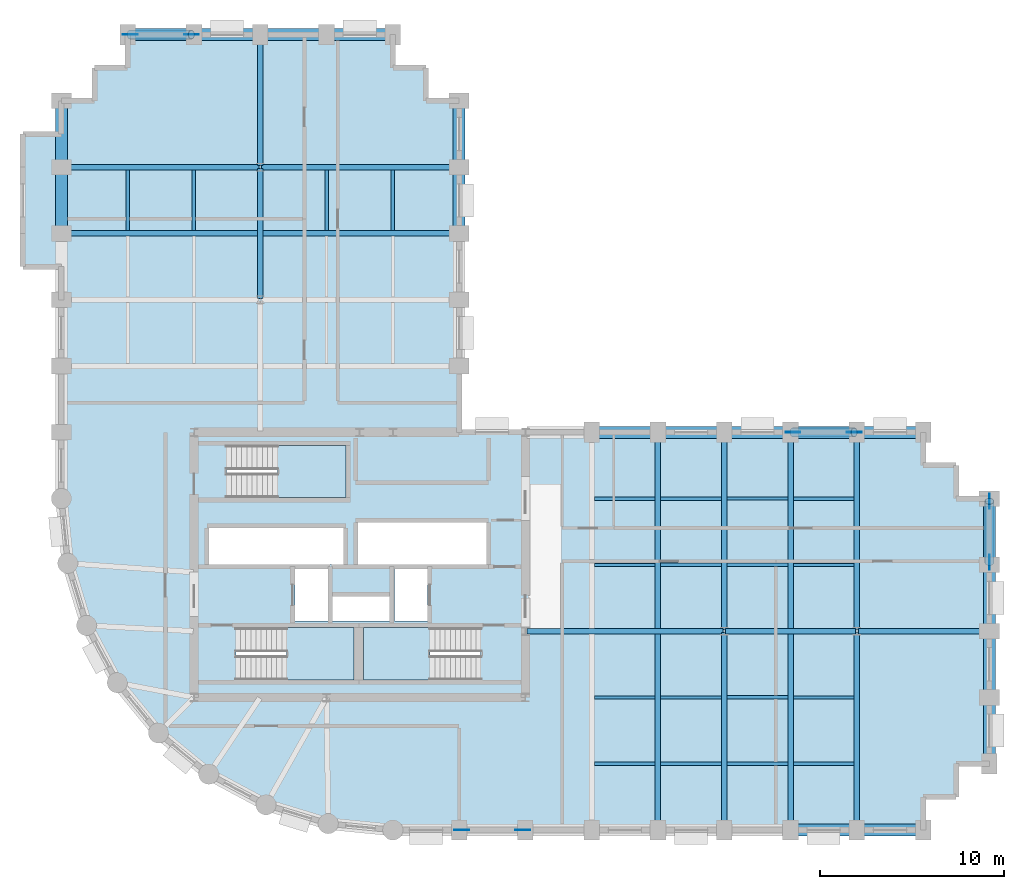
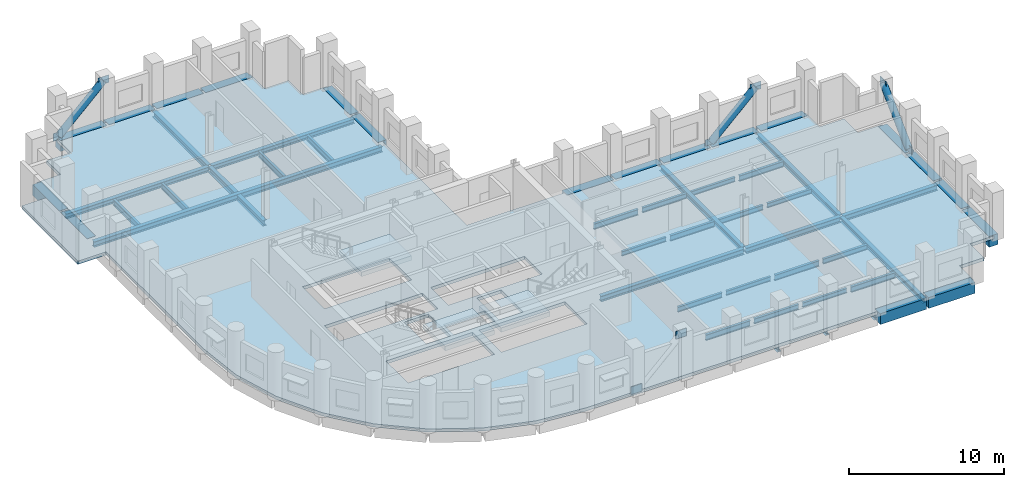
# One storey, part 2 of 8: 53 beams, 8 plates, 4 slabs, 3 members, 3 elements without a shape of their own.
"""IFC4 building model written with IfcOpenShell, lengths in metres."""

from ifc_helpers import new_model, si_unit, direction, frame, origin, origin_2d, place, context, subcontext, project, spatial, polyline, rectangle, hollow_circle, i_section, outline, extrude, material, layer, layer_set, material_profile, profile_set, type_object, element, aggregate, save


model = new_model("IFC4")

# Units and contexts
model_context = context("Model", 3, precision=1e-05, world=origin(), true_north=direction((0.0, 1.0)))
body_context = subcontext(model_context, "Body", "Model", "MODEL_VIEW")
ifc_project = project(units=[si_unit("LENGTHUNIT", "METRE"), si_unit("AREAUNIT", "SQUARE_METRE"), si_unit("VOLUMEUNIT", "CUBIC_METRE"), si_unit("PLANEANGLEUNIT", "RADIAN"), si_unit("MASSUNIT", "GRAM", prefix="KILO")], contexts=[model_context])

# Site, building, storey
site_placement = place(None, origin())
site = spatial("IfcSite", under=ifc_project, at=site_placement, CompositionType="ELEMENT")
building_placement = place(site_placement, origin())
building = spatial("IfcBuilding", under=site, at=building_placement, Name="Solnavia Interchange Tower", CompositionType="ELEMENT")
storey_placement = place(building_placement, frame((0.0, 0.0, 120.0)))
storey = spatial("IfcBuildingStorey", under=building, at=storey_placement, Name="L29", CompositionType="ELEMENT", Elevation=120.0)

# Beams
ifc_material_1 = material(Name="Steel S460", Category="steel")
ifc_material_profile_1 = material_profile(ifc_material_1, i_section(OverallWidth=0.300048828125, OverallDepth=0.449951171875, WebThickness=0.013916015625, FlangeThickness=0.02587890625, FilletRadius=0.027099609375, at=origin_2d()), Name="HEB 450")
ifc_profile_set_1 = profile_set([ifc_material_profile_1], Name="Steel S460")
beam_type_1 = type_object("IfcBeamType", Name="Beam-Girder-HEB450", PredefinedType="BEAM", material=ifc_profile_set_1)
beam_1_placement = place(storey_placement, frame((32.47998046875, 14.39990234375, -0.47509765625), z_axis=(1.0, 0.0, 0.0), x_axis=(0.0, 1.0, 0.0)))
element("IfcBeam", 1, at=beam_1_placement, inside=storey, type_object=beam_type_1, Name="GRD-L29-ES01 East wing spine girder", PredefinedType="BEAM", context=body_context, shape_type="SweptSolid", body=[
    extrude(i_section(OverallWidth=0.300048828125, OverallDepth=0.449951171875, WebThickness=0.013916015625, FlangeThickness=0.02587890625, FilletRadius=0.027099609375, at=origin_2d()), origin(), (0.0, 0.0, 1.0), 10.64013671875),
])
for number, where, z_axis, x_axis, name in (
    (2, (43.280029296875, 14.39990234375, -0.47509765625), (1.0, 0.0, 0.0), (0.0, 1.0, 0.0), "GRD-L29-ES02 East wing spine girder"),
    (3, (50.47998046875, 14.39990234375, -0.47509765625), (1.0, 0.0, 0.0), (0.0, 1.0, 0.0), "GRD-L29-ES03 East wing spine girder"),
    (4, (18.0, 32.47998046875, -0.47509765625), (0.0, 1.0, 0.0), (-1.0, 0.0, 0.0), "GRD-L29-NS12 North wing spine girder"),
    (5, (18.0, 39.679931640625, -0.47509765625), (0.0, 1.0, 0.0), (-1.0, 0.0, 0.0), "GRD-L29-NS13 North wing spine girder"),
):
    element("IfcBeam", number, at=place(storey_placement, frame(where, z_axis=z_axis, x_axis=x_axis)), inside=storey, type_object=beam_type_1, Name=name, PredefinedType="BEAM", context=body_context, shape_type="SweptSolid", body=[
        extrude(i_section(OverallWidth=0.300048828125, OverallDepth=0.449951171875, WebThickness=0.013916015625, FlangeThickness=0.02587890625, FilletRadius=0.027099609375, at=origin_2d()), origin(), (0.0, 0.0, 1.0), 7.0400390625),
    ])
ifc_material_2 = material(Name="Steel S355", Category="steel")
ifc_material_profile_2 = material_profile(ifc_material_2, i_section(OverallWidth=0.169921875, OverallDepth=0.360107421875, WebThickness=0.008056640625, FlangeThickness=0.0126953125, FilletRadius=0.01806640625, at=origin_2d()), Name="IPE 360")
ifc_profile_set_2 = profile_set([ifc_material_profile_2], Name="Steel S355")
beam_type_2 = type_object("IfcBeamType", Name="Beam-Joist-IPE360", PredefinedType="JOIST", material=ifc_profile_set_2)
beam_2_placement = place(storey_placement, frame((43.35009765625, 7.199951171875, -0.429931640625), z_axis=(1.0, 0.0, 0.0), x_axis=(0.0, 1.0, 0.0)))
element("IfcBeam", 6, at=beam_2_placement, inside=storey, type_object=beam_type_2, Name="JST-L29-E03 East wing secondary joist", PredefinedType="JOIST", context=body_context, shape_type="SweptSolid", body=[
    extrude(i_section(OverallWidth=0.169921875, OverallDepth=0.360107421875, WebThickness=0.008056640625, FlangeThickness=0.0126953125, FilletRadius=0.01806640625, at=origin_2d()), origin(), (0.0, 0.0, 1.0), 3.2998046875),
])
for number, where, z_axis, x_axis, name in (
    (7, (39.75, 10.800048828125, -0.429931640625), (1.0, 0.0, 0.0), (0.0, 1.0, 0.0), "JST-L29-E06 East wing secondary joist"),
    (8, (36.14990234375, 18.0, -0.429931640625), (1.0, 0.0, 0.0), (0.0, 1.0, 0.0), "JST-L29-E09 East wing secondary joist"),
    (9, (46.949951171875, 18.0, -0.429931640625), (1.0, 0.0, 0.0), (0.0, 1.0, 0.0), "JST-L29-E12 East wing secondary joist"),
):
    element("IfcBeam", number, at=place(storey_placement, frame(where, z_axis=z_axis, x_axis=x_axis)), inside=storey, type_object=beam_type_2, Name=name, PredefinedType="JOIST", context=body_context, shape_type="SweptSolid", body=[
        extrude(i_section(OverallWidth=0.169921875, OverallDepth=0.360107421875, WebThickness=0.008056640625, FlangeThickness=0.0126953125, FilletRadius=0.01806640625, at=origin_2d()), origin(), (0.0, 0.0, 1.0), 3.300048828125),
    ])
beam_3_placement = place(storey_placement, frame((43.35009765625, 21.60009765625, -0.429931640625), z_axis=(1.0, 0.0, 0.0), x_axis=(0.0, 1.0, 0.0)))
element("IfcBeam", 10, at=beam_3_placement, inside=storey, type_object=beam_type_2, Name="JST-L29-E15 East wing secondary joist", PredefinedType="JOIST", context=body_context, shape_type="SweptSolid", body=[
    extrude(i_section(OverallWidth=0.169921875, OverallDepth=0.360107421875, WebThickness=0.008056640625, FlangeThickness=0.0126953125, FilletRadius=0.01806640625, at=origin_2d()), origin(), (0.0, 0.0, 1.0), 3.2998046875),
])
ifc_material_profile_3 = material_profile(ifc_material_2, i_section(OverallWidth=0.179931640625, OverallDepth=0.39990234375, WebThickness=0.008544921875, FlangeThickness=0.013427734375, FilletRadius=0.02099609375, at=origin_2d()), Name="IPE 400")
ifc_profile_set_3 = profile_set([ifc_material_profile_3], Name="Steel S355")
beam_type_3 = type_object("IfcBeamType", Name="Beam-Joist-IPE400", PredefinedType="JOIST", material=ifc_profile_set_3)
for number, where, z_axis, x_axis, name in (
    (11, (39.75, 7.199951171875, -0.449951171875), (1.0, 0.0, 0.0), (0.0, 1.0, 0.0), "JST-L29-E02 East wing secondary joist"),
    (12, (36.14990234375, 10.800048828125, -0.449951171875), (1.0, 0.0, 0.0), (0.0, 1.0, 0.0), "JST-L29-E05 East wing secondary joist"),
    (13, (46.949951171875, 10.800048828125, -0.449951171875), (1.0, 0.0, 0.0), (0.0, 1.0, 0.0), "JST-L29-E08 East wing secondary joist"),
):
    element("IfcBeam", number, at=place(storey_placement, frame(where, z_axis=z_axis, x_axis=x_axis)), inside=storey, type_object=beam_type_3, Name=name, PredefinedType="JOIST", context=body_context, shape_type="SweptSolid", body=[
        extrude(i_section(OverallWidth=0.179931640625, OverallDepth=0.39990234375, WebThickness=0.008544921875, FlangeThickness=0.013427734375, FilletRadius=0.02099609375, at=origin_2d()), origin(), (0.0, 0.0, 1.0), 3.300048828125),
    ])
beam_4_placement = place(storey_placement, frame((43.35009765625, 18.0, -0.449951171875), z_axis=(1.0, 0.0, 0.0), x_axis=(0.0, 1.0, 0.0)))
element("IfcBeam", 14, at=beam_4_placement, inside=storey, type_object=beam_type_3, Name="JST-L29-E11 East wing secondary joist", PredefinedType="JOIST", context=body_context, shape_type="SweptSolid", body=[
    extrude(i_section(OverallWidth=0.179931640625, OverallDepth=0.39990234375, WebThickness=0.008544921875, FlangeThickness=0.013427734375, FilletRadius=0.02099609375, at=origin_2d()), origin(), (0.0, 0.0, 1.0), 3.2998046875),
])
beam_5_placement = place(storey_placement, frame((39.75, 21.60009765625, -0.449951171875), z_axis=(1.0, 0.0, 0.0), x_axis=(0.0, 1.0, 0.0)))
element("IfcBeam", 15, at=beam_5_placement, inside=storey, type_object=beam_type_3, Name="JST-L29-E14 East wing secondary joist", PredefinedType="JOIST", context=body_context, shape_type="SweptSolid", body=[
    extrude(i_section(OverallWidth=0.179931640625, OverallDepth=0.39990234375, WebThickness=0.008544921875, FlangeThickness=0.013427734375, FilletRadius=0.02099609375, at=origin_2d()), origin(), (0.0, 0.0, 1.0), 3.300048828125),
])
ifc_material_profile_4 = material_profile(ifc_material_2, i_section(OverallWidth=0.18994140625, OverallDepth=0.449951171875, WebThickness=0.009521484375, FlangeThickness=0.0146484375, FilletRadius=0.02099609375, at=origin_2d()), Name="IPE 450")
ifc_profile_set_4 = profile_set([ifc_material_profile_4], Name="Steel S355")
beam_type_4 = type_object("IfcBeamType", Name="Beam-Joist-IPE450", PredefinedType="JOIST", material=ifc_profile_set_4)
for number, where, z_axis, x_axis, name in (
    (16, (36.14990234375, 7.199951171875, -0.47509765625), (1.0, 0.0, 0.0), (0.0, 1.0, 0.0), "JST-L29-E01 East wing secondary joist"),
    (17, (46.949951171875, 7.199951171875, -0.47509765625), (1.0, 0.0, 0.0), (0.0, 1.0, 0.0), "JST-L29-E04 East wing secondary joist"),
):
    element("IfcBeam", number, at=place(storey_placement, frame(where, z_axis=z_axis, x_axis=x_axis)), inside=storey, type_object=beam_type_4, Name=name, PredefinedType="JOIST", context=body_context, shape_type="SweptSolid", body=[
        extrude(i_section(OverallWidth=0.18994140625, OverallDepth=0.449951171875, WebThickness=0.009521484375, FlangeThickness=0.0146484375, FilletRadius=0.02099609375, at=origin_2d()), origin(), (0.0, 0.0, 1.0), 3.300048828125),
    ])
beam_6_placement = place(storey_placement, frame((43.35009765625, 10.800048828125, -0.47509765625), z_axis=(1.0, 0.0, 0.0), x_axis=(0.0, 1.0, 0.0)))
element("IfcBeam", 18, at=beam_6_placement, inside=storey, type_object=beam_type_4, Name="JST-L29-E07 East wing secondary joist", PredefinedType="JOIST", context=body_context, shape_type="SweptSolid", body=[
    extrude(i_section(OverallWidth=0.18994140625, OverallDepth=0.449951171875, WebThickness=0.009521484375, FlangeThickness=0.0146484375, FilletRadius=0.02099609375, at=origin_2d()), origin(), (0.0, 0.0, 1.0), 3.2998046875),
])
for number, where, z_axis, x_axis, name in (
    (19, (39.75, 18.0, -0.47509765625), (1.0, 0.0, 0.0), (0.0, 1.0, 0.0), "JST-L29-E10 East wing secondary joist"),
    (20, (36.14990234375, 21.60009765625, -0.47509765625), (1.0, 0.0, 0.0), (0.0, 1.0, 0.0), "JST-L29-E13 East wing secondary joist"),
    (21, (46.949951171875, 21.60009765625, -0.47509765625), (1.0, 0.0, 0.0), (0.0, 1.0, 0.0), "JST-L29-E16 East wing secondary joist"),
    (22, (10.800048828125, 36.14990234375, -0.47509765625), (0.0, 1.0, 0.0), (-1.0, 0.0, 0.0), "JST-L29-N19 North wing secondary joist"),
    (23, (14.39990234375, 36.14990234375, -0.47509765625), (0.0, 1.0, 0.0), (-1.0, 0.0, 0.0), "JST-L29-N22 North wing secondary joist"),
    (24, (21.60009765625, 36.14990234375, -0.47509765625), (0.0, 1.0, 0.0), (-1.0, 0.0, 0.0), "JST-L29-N25 North wing secondary joist"),
    (25, (25.199951171875, 36.14990234375, -0.47509765625), (0.0, 1.0, 0.0), (-1.0, 0.0, 0.0), "JST-L29-N28 North wing secondary joist"),
):
    element("IfcBeam", number, at=place(storey_placement, frame(where, z_axis=z_axis, x_axis=x_axis)), inside=storey, type_object=beam_type_4, Name=name, PredefinedType="JOIST", context=body_context, shape_type="SweptSolid", body=[
        extrude(i_section(OverallWidth=0.18994140625, OverallDepth=0.449951171875, WebThickness=0.009521484375, FlangeThickness=0.0146484375, FilletRadius=0.02099609375, at=origin_2d()), origin(), (0.0, 0.0, 1.0), 3.300048828125),
    ])
ifc_material_profile_5 = material_profile(ifc_material_2, i_section(OverallWidth=0.300048828125, OverallDepth=0.389892578125, WebThickness=0.010986328125, FlangeThickness=0.01904296875, FilletRadius=0.027099609375, at=origin_2d()), Name="HEA 400")
ifc_profile_set_5 = profile_set([ifc_material_profile_5], Name="Steel S355")
beam_type_5 = type_object("IfcBeamType", Name="Beam-Primary-HEA400", PredefinedType="BEAM", material=ifc_profile_set_5)
for number, where, z_axis, x_axis, name in (
    (26, (43.199951171875, 3.679931640625, -0.445068359375), (0.0, 1.0, 0.0), (-1.0, 0.0, 0.0), "GRD-L29-EW06 East wing primary floor girder"),
    (27, (43.199951171875, 14.47998046875, -0.445068359375), (0.0, 1.0, 0.0), (-1.0, 0.0, 0.0), "GRD-L29-EW07 East wing primary floor girder"),
    (28, (50.39990234375, 3.679931640625, -0.445068359375), (0.0, 1.0, 0.0), (-1.0, 0.0, 0.0), "GRD-L29-EW09 East wing primary floor girder"),
    (29, (50.39990234375, 14.47998046875, -0.445068359375), (0.0, 1.0, 0.0), (-1.0, 0.0, 0.0), "GRD-L29-EW10 East wing primary floor girder"),
):
    element("IfcBeam", number, at=place(storey_placement, frame(where, z_axis=z_axis, x_axis=x_axis)), inside=storey, type_object=beam_type_5, Name=name, PredefinedType="BEAM", context=body_context, shape_type="SweptSolid", body=[
        extrude(i_section(OverallWidth=0.300048828125, OverallDepth=0.389892578125, WebThickness=0.010986328125, FlangeThickness=0.01904296875, FilletRadius=0.027099609375, at=origin_2d()), origin(), (0.0, 0.0, 1.0), 10.64013671875),
    ])
for number, where, z_axis, x_axis, name in (
    (30, (7.280029296875, 39.60009765625, -0.445068359375), (1.0, 0.0, 0.0), (0.0, 1.0, 0.0), "GRD-L29-NW18 North wing primary floor girder"),
    (31, (18.080078125, 39.60009765625, -0.445068359375), (1.0, 0.0, 0.0), (0.0, 1.0, 0.0), "GRD-L29-NW19 North wing primary floor girder"),
):
    element("IfcBeam", number, at=place(storey_placement, frame(where, z_axis=z_axis, x_axis=x_axis)), inside=storey, type_object=beam_type_5, Name=name, PredefinedType="BEAM", context=body_context, shape_type="SweptSolid", body=[
        extrude(i_section(OverallWidth=0.300048828125, OverallDepth=0.389892578125, WebThickness=0.010986328125, FlangeThickness=0.01904296875, FilletRadius=0.027099609375, at=origin_2d()), origin(), (0.0, 0.0, 1.0), 10.639892578125),
    ])
ifc_material_profile_6 = material_profile(ifc_material_2, i_section(OverallWidth=0.300048828125, OverallDepth=0.43994140625, WebThickness=0.011474609375, FlangeThickness=0.02099609375, FilletRadius=0.027099609375, at=origin_2d()), Name="HEA 450")
ifc_profile_set_6 = profile_set([ifc_material_profile_6], Name="Steel S355")
beam_type_6 = type_object("IfcBeamType", Name="Beam-Primary-HEA450", PredefinedType="BEAM", material=ifc_profile_set_6)
for number, where, z_axis, x_axis, name in (
    (32, (39.60009765625, 3.679931640625, -0.469970703125), (0.0, 1.0, 0.0), (-1.0, 0.0, 0.0), "GRD-L29-EW05 East wing primary floor girder"),
    (33, (46.800048828125, 3.679931640625, -0.469970703125), (0.0, 1.0, 0.0), (-1.0, 0.0, 0.0), "GRD-L29-EW08 East wing primary floor girder"),
):
    element("IfcBeam", number, at=place(storey_placement, frame(where, z_axis=z_axis, x_axis=x_axis)), inside=storey, type_object=beam_type_6, Name=name, PredefinedType="BEAM", context=body_context, shape_type="SweptSolid", body=[
        extrude(i_section(OverallWidth=0.300048828125, OverallDepth=0.43994140625, WebThickness=0.011474609375, FlangeThickness=0.02099609375, FilletRadius=0.027099609375, at=origin_2d()), origin(), (0.0, 0.0, 1.0), 21.440185546875),
    ])
beam_7_placement = place(storey_placement, frame((7.280029296875, 36.0, -0.469970703125), z_axis=(1.0, 0.0, 0.0), x_axis=(0.0, 1.0, 0.0)))
element("IfcBeam", 34, at=beam_7_placement, inside=storey, type_object=beam_type_6, Name="GRD-L29-NW17 North wing primary floor girder", PredefinedType="BEAM", context=body_context, shape_type="SweptSolid", body=[
    extrude(i_section(OverallWidth=0.300048828125, OverallDepth=0.43994140625, WebThickness=0.011474609375, FlangeThickness=0.02099609375, FilletRadius=0.027099609375, at=origin_2d()), origin(), (0.0, 0.0, 1.0), 21.43994140625),
])
ifc_material_3 = material(Name="Concrete C50/60", Category="concrete")
ifc_material_profile_7 = material_profile(ifc_material_3, rectangle(XDim=0.64990234375, YDim=0.85009765625, at=origin_2d()), Name="RC 650x850")
ifc_profile_set_7 = profile_set([ifc_material_profile_7], Name="Concrete C50/60")
beam_type_7 = type_object("IfcBeamType", Name="Beam-Spandrel-RC650x850", PredefinedType="SPANDREL", material=ifc_profile_set_7)
beam_8_placement = place(storey_placement, frame((46.8798828125, 3.60009765625, -0.425048828125), z_axis=(1.0, 0.0, 0.0), x_axis=(0.0, 1.0, 0.0)))
element("IfcBeam", 35, at=beam_8_placement, inside=storey, type_object=beam_type_7, Name="SPB-L29-15 Framed-tube perimeter spandrel beam", PredefinedType="SPANDREL", context=body_context, shape_type="SweptSolid", body=[
    extrude(rectangle(XDim=0.64990234375, YDim=0.85009765625, at=origin_2d()), origin(), (0.0, 0.0, 1.0), 3.440185546875),
])
for number, where, z_axis, x_axis, name in (
    (36, (50.47998046875, 3.60009765625, -0.425048828125), (1.0, 0.0, 0.0), (0.0, 1.0, 0.0), "SPB-L29-16 Framed-tube perimeter spandrel beam"),
    (37, (57.60009765625, 7.280029296875, -0.425048828125), (0.0, 1.0, 0.0), (-1.0, 0.0, 0.0), "SPB-L29-17 Framed-tube perimeter spandrel beam"),
):
    element("IfcBeam", number, at=place(storey_placement, frame(where, z_axis=z_axis, x_axis=x_axis)), inside=storey, type_object=beam_type_7, Name=name, PredefinedType="SPANDREL", context=body_context, shape_type="SweptSolid", body=[
        extrude(rectangle(XDim=0.64990234375, YDim=0.85009765625, at=origin_2d()), origin(), (0.0, 0.0, 1.0), 3.43994140625),
    ])
beam_9_placement = place(storey_placement, frame((57.60009765625, 10.8798828125, -0.425048828125), z_axis=(0.0, 1.0, 0.0), x_axis=(-1.0, 0.0, 0.0)))
element("IfcBeam", 38, at=beam_9_placement, inside=storey, type_object=beam_type_7, Name="SPB-L29-18 Framed-tube perimeter spandrel beam", PredefinedType="SPANDREL", context=body_context, shape_type="SweptSolid", body=[
    extrude(rectangle(XDim=0.64990234375, YDim=0.85009765625, at=origin_2d()), origin(), (0.0, 0.0, 1.0), 3.440185546875),
])
for number, where, z_axis, x_axis, name in (
    (39, (57.60009765625, 14.47998046875, -0.425048828125), (0.0, 1.0, 0.0), (-1.0, 0.0, 0.0), "SPB-L29-19 Framed-tube perimeter spandrel beam"),
    (40, (57.60009765625, 18.080078125, -0.425048828125), (0.0, 1.0, 0.0), (-1.0, 0.0, 0.0), "SPB-L29-20 Framed-tube perimeter spandrel beam"),
    (41, (53.919921875, 25.199951171875, -0.425048828125), (-1.0, 0.0, 0.0), (0.0, -1.0, 0.0), "SPB-L29-21 Framed-tube perimeter spandrel beam"),
):
    element("IfcBeam", number, at=place(storey_placement, frame(where, z_axis=z_axis, x_axis=x_axis)), inside=storey, type_object=beam_type_7, Name=name, PredefinedType="SPANDREL", context=body_context, shape_type="SweptSolid", body=[
        extrude(rectangle(XDim=0.64990234375, YDim=0.85009765625, at=origin_2d()), origin(), (0.0, 0.0, 1.0), 3.43994140625),
    ])
beam_10_placement = place(storey_placement, frame((50.320068359375, 25.199951171875, -0.425048828125), z_axis=(-1.0, 0.0, 0.0), x_axis=(0.0, -1.0, 0.0)))
element("IfcBeam", 42, at=beam_10_placement, inside=storey, type_object=beam_type_7, Name="SPB-L29-22 Framed-tube perimeter spandrel beam", PredefinedType="SPANDREL", context=body_context, shape_type="SweptSolid", body=[
    extrude(rectangle(XDim=0.64990234375, YDim=0.85009765625, at=origin_2d()), origin(), (0.0, 0.0, 1.0), 3.440185546875),
])
beam_11_placement = place(storey_placement, frame((46.719970703125, 25.199951171875, -0.425048828125), z_axis=(-1.0, 0.0, 0.0), x_axis=(0.0, -1.0, 0.0)))
element("IfcBeam", 43, at=beam_11_placement, inside=storey, type_object=beam_type_7, Name="SPB-L29-23 Framed-tube perimeter spandrel beam", PredefinedType="SPANDREL", context=body_context, shape_type="SweptSolid", body=[
    extrude(rectangle(XDim=0.64990234375, YDim=0.85009765625, at=origin_2d()), origin(), (0.0, 0.0, 1.0), 3.43994140625),
])
beam_12_placement = place(storey_placement, frame((43.1201171875, 25.199951171875, -0.425048828125), z_axis=(-1.0, 0.0, 0.0), x_axis=(0.0, -1.0, 0.0)))
element("IfcBeam", 44, at=beam_12_placement, inside=storey, type_object=beam_type_7, Name="SPB-L29-24 Framed-tube perimeter spandrel beam", PredefinedType="SPANDREL", context=body_context, shape_type="SweptSolid", body=[
    extrude(rectangle(XDim=0.64990234375, YDim=0.85009765625, at=origin_2d()), origin(), (0.0, 0.0, 1.0), 3.440185546875),
])
for number, where, z_axis, x_axis, name in (
    (45, (39.52001953125, 25.199951171875, -0.425048828125), (-1.0, 0.0, 0.0), (0.0, -1.0, 0.0), "SPB-L29-25 Framed-tube perimeter spandrel beam"),
    (46, (28.800048828125, 36.080078125, -0.425048828125), (0.0, 1.0, 0.0), (-1.0, 0.0, 0.0), "SPB-L29-29 Framed-tube perimeter spandrel beam"),
):
    element("IfcBeam", number, at=place(storey_placement, frame(where, z_axis=z_axis, x_axis=x_axis)), inside=storey, type_object=beam_type_7, Name=name, PredefinedType="SPANDREL", context=body_context, shape_type="SweptSolid", body=[
        extrude(rectangle(XDim=0.64990234375, YDim=0.85009765625, at=origin_2d()), origin(), (0.0, 0.0, 1.0), 3.43994140625),
    ])
for number, where, z_axis, x_axis, name in (
    (47, (28.800048828125, 39.679931640625, -0.425048828125), (0.0, 1.0, 0.0), (-1.0, 0.0, 0.0), "SPB-L29-30 Framed-tube perimeter spandrel beam"),
    (48, (25.1201171875, 46.800048828125, -0.425048828125), (-1.0, 0.0, 0.0), (0.0, -1.0, 0.0), "SPB-L29-31 Framed-tube perimeter spandrel beam"),
):
    element("IfcBeam", number, at=place(storey_placement, frame(where, z_axis=z_axis, x_axis=x_axis)), inside=storey, type_object=beam_type_7, Name=name, PredefinedType="SPANDREL", context=body_context, shape_type="SweptSolid", body=[
        extrude(rectangle(XDim=0.64990234375, YDim=0.85009765625, at=origin_2d()), origin(), (0.0, 0.0, 1.0), 3.440185546875),
    ])
for number, where, z_axis, x_axis, name in (
    (49, (21.52001953125, 46.800048828125, -0.425048828125), (-1.0, 0.0, 0.0), (0.0, -1.0, 0.0), "SPB-L29-32 Framed-tube perimeter spandrel beam"),
    (50, (17.919921875, 46.800048828125, -0.425048828125), (-1.0, 0.0, 0.0), (0.0, -1.0, 0.0), "SPB-L29-33 Framed-tube perimeter spandrel beam"),
):
    element("IfcBeam", number, at=place(storey_placement, frame(where, z_axis=z_axis, x_axis=x_axis)), inside=storey, type_object=beam_type_7, Name=name, PredefinedType="SPANDREL", context=body_context, shape_type="SweptSolid", body=[
        extrude(rectangle(XDim=0.64990234375, YDim=0.85009765625, at=origin_2d()), origin(), (0.0, 0.0, 1.0), 3.43994140625),
    ])
for number, where, z_axis, x_axis, name in (
    (51, (14.320068359375, 46.800048828125, -0.425048828125), (-1.0, 0.0, 0.0), (0.0, -1.0, 0.0), "SPB-L29-34 Framed-tube perimeter spandrel beam"),
    (52, (7.199951171875, 43.1201171875, -0.425048828125), (0.0, -1.0, 0.0), (1.0, 0.0, 0.0), "SPB-L29-35 Framed-tube perimeter spandrel beam"),
):
    element("IfcBeam", number, at=place(storey_placement, frame(where, z_axis=z_axis, x_axis=x_axis)), inside=storey, type_object=beam_type_7, Name=name, PredefinedType="SPANDREL", context=body_context, shape_type="SweptSolid", body=[
        extrude(rectangle(XDim=0.64990234375, YDim=0.85009765625, at=origin_2d()), origin(), (0.0, 0.0, 1.0), 3.440185546875),
    ])
beam_13_placement = place(storey_placement, frame((7.199951171875, 39.52001953125, -0.425048828125), z_axis=(0.0, -1.0, 0.0), x_axis=(1.0, 0.0, 0.0)))
element("IfcBeam", 53, at=beam_13_placement, inside=storey, type_object=beam_type_7, Name="SPB-L29-36 Framed-tube perimeter spandrel beam", PredefinedType="SPANDREL", context=body_context, shape_type="SweptSolid", body=[
    extrude(rectangle(XDim=0.64990234375, YDim=0.85009765625, at=origin_2d()), origin(), (0.0, 0.0, 1.0), 3.43994140625),
])

# Members
ifc_material_profile_8 = material_profile(ifc_material_1, hollow_circle(Radius=0.25390625, WallThickness=0.02490234375, at=origin_2d()), Name="CHS 508x25")
ifc_profile_set_8 = profile_set([ifc_material_profile_8], Name="Steel S460")
member_type = type_object("IfcMemberType", Name="Brace-Perim-CHS508", PredefinedType="BRACE", material=ifc_profile_set_8)
for number, where, z_axis, x_axis, name in (
    (54, (57.60009765625, 18.139892578125, 0.179931640625), (0.0, 0.721070427335, 0.692861774688), (-1.0, 0.0, 0.0), "BRC-L29-02 Perimeter tube diagonal brace"),
    (55, (10.93994140625, 46.800048828125, 0.179931640625), (0.721070427335, 0.0, 0.692861774688), (0.0, 1.0, 0.0), "BRC-L29-03 Perimeter tube diagonal brace"),
    (56, (46.93994140625, 25.199951171875, 0.179931640625), (0.721070427335, 0.0, 0.692861774688), (0.0, 1.0, 0.0), "BRC-L29-04 Perimeter tube diagonal brace"),
):
    element("IfcMember", number, at=place(storey_placement, frame(where, z_axis=z_axis, x_axis=x_axis)), inside=storey, type_object=member_type, Name=name, PredefinedType="BRACE", context=body_context, shape_type="SweptSolid", body=[
        extrude(hollow_circle(Radius=0.25390625, WallThickness=0.02490234375, at=origin_2d()), origin(), (0.0, 0.0, 1.0), 4.604248046875),
    ])

# Plates
ifc_layer_1 = layer(ifc_material_1, 0.035888671875)
ifc_layer_set_1 = layer_set([ifc_layer_1], Name="Steel S460")
plate_type = type_object("IfcPlateType", Name="Plate-Gusset-800x600x36", PredefinedType="USERDEFINED", material=ifc_layer_set_1)
for number, where, z_axis, x_axis, name in (
    (57, (28.93994140625, 3.60009765625, -0.1201171875), (0.0, 0.0, 1.0), (1.0, 0.0, 0.0), "PLT-L29-GP01 Perimeter brace gusset plate"),
    (58, (32.260009765625, 3.60009765625, 3.070068359375), (0.0, 0.0, 1.0), (1.0, 0.0, 0.0), "PLT-L29-GP02 Perimeter brace gusset plate"),
    (59, (57.60009765625, 18.139892578125, -0.1201171875), (0.0, 0.0, 1.0), (0.0, 1.0, 0.0), "PLT-L29-GP03 Perimeter brace gusset plate"),
    (60, (57.60009765625, 21.4599609375, 3.070068359375), (0.0, 0.0, 1.0), (0.0, 1.0, 0.0), "PLT-L29-GP04 Perimeter brace gusset plate"),
    (61, (10.93994140625, 46.800048828125, -0.1201171875), (0.0, 0.0, 1.0), (1.0, 0.0, 0.0), "PLT-L29-GP05 Perimeter brace gusset plate"),
    (62, (14.260009765625, 46.800048828125, 3.070068359375), (0.0, 0.0, 1.0), (1.0, 0.0, 0.0), "PLT-L29-GP06 Perimeter brace gusset plate"),
    (63, (46.93994140625, 25.199951171875, -0.1201171875), (0.0, 0.0, 1.0), (1.0, 0.0, 0.0), "PLT-L29-GP07 Perimeter brace gusset plate"),
    (64, (50.260009765625, 25.199951171875, 3.070068359375), (0.0, 0.0, 1.0), (1.0, 0.0, 0.0), "PLT-L29-GP08 Perimeter brace gusset plate"),
):
    element("IfcPlate", number, at=place(storey_placement, frame(where, z_axis=z_axis, x_axis=x_axis)), inside=storey, type_object=plate_type, Name=name, ObjectType="GUSSET PLATE", PredefinedType="USERDEFINED", context=body_context, shape_type="SweptSolid", body=[
        extrude(rectangle(XDim=0.800048828125, YDim=0.035888671875, at=origin_2d()), origin(), (0.0, 0.0, 1.0), 0.60009765625),
    ])

# Stair, slab
ifc_material_4 = material(Name="Concrete C40/50", Category="concrete")
stair_type = type_object("IfcStairType", Name="Stair-Dogleg-RC", PredefinedType="HALF_TURN_STAIR", material=ifc_material_4)
stair_1_placement = place(storey_placement, origin())
stair_1 = element("IfcStair", 65, at=stair_1_placement, inside=storey, type_object=stair_type, Name="L29 Core exit stair 1", PredefinedType="HALF_TURN_STAIR")
ifc_layer_2 = layer(ifc_material_4, 0.35009765625)
ifc_layer_set_2 = layer_set([ifc_layer_2], Name="Concrete C40/50")
slab_type_1 = type_object("IfcSlabType", Name="Slab-StairLanding-350", PredefinedType="LANDING", material=ifc_layer_set_2)
slab_1_placement = place(storey_placement, frame((0.0, 0.0, 1.550048828125)))
slab_1 = element("IfcSlab", 66, at=slab_1_placement, type_object=slab_type_1, Name="ST-1 landing 1", PredefinedType="LANDING", context=body_context, shape_type="SweptSolid", body=[
    extrude(outline(polyline([(19.427978515625, 11.75), (23.10009765625, 11.75), (23.10009765625, 14.590087890625), (19.427978515625, 14.590087890625), (19.427978515625, 11.75)])), origin(), (0.0, 0.0, 1.0), 0.349853515625),
])
aggregate(stair_1, [slab_1])

stair_2_placement = place(storey_placement, origin())
stair_2 = element("IfcStair", 67, at=stair_2_placement, inside=storey, type_object=stair_type, Name="L29 Core exit stair 2", PredefinedType="HALF_TURN_STAIR")
slab_2_placement = place(storey_placement, frame((0.0, 0.0, 1.550048828125)))
slab_2 = element("IfcSlab", 68, at=slab_2_placement, type_object=slab_type_1, Name="ST-2 landing 1", PredefinedType="LANDING", context=body_context, shape_type="SweptSolid", body=[
    extrude(outline(polyline([(23.60009765625, 11.75), (27.221923828125, 11.75), (27.221923828125, 14.590087890625), (23.60009765625, 14.590087890625), (23.60009765625, 11.75)])), origin(), (0.0, 0.0, 1.0), 0.349853515625),
])
aggregate(stair_2, [slab_2])

stair_3_placement = place(storey_placement, origin())
stair_3 = element("IfcStair", 69, at=stair_3_placement, inside=storey, type_object=stair_type, Name="L29 Core exit stair 3", PredefinedType="HALF_TURN_STAIR")
slab_3_placement = place(storey_placement, frame((0.0, 0.0, 1.550048828125)))
slab_3 = element("IfcSlab", 70, at=slab_3_placement, type_object=slab_type_1, Name="ST-3 landing 1", PredefinedType="LANDING", context=body_context, shape_type="SweptSolid", body=[
    extrude(outline(polyline([(18.927978515625, 21.64990234375), (22.64990234375, 21.64990234375), (22.64990234375, 24.489990234375), (18.927978515625, 24.489990234375), (18.927978515625, 21.64990234375)])), origin(), (0.0, 0.0, 1.0), 0.349853515625),
])
aggregate(stair_3, [slab_3])

# Slab
ifc_layer_3 = layer(ifc_material_4, 0.25)
ifc_layer_set_3 = layer_set([ifc_layer_3], Name="Concrete C40/50")
slab_type_2 = type_object("IfcSlabType", Name="Slab-Tower-250", PredefinedType="FLOOR", material=ifc_layer_set_3)
slab_4_placement = place(storey_placement, frame((0.0, 0.0, -0.25)))
element("IfcSlab", 71, at=slab_4_placement, inside=storey, type_object=slab_type_2, Name="SLB-L29-01 Structural floor slab", PredefinedType="FLOOR", context=body_context, shape_type="SweptSolid", body=[
    extrude(outline(polyline([(25.199951171875, 3.60009765625), (54.0, 3.60009765625), (54.0, 5.39990234375), (55.800048828125, 5.39990234375), (55.800048828125, 7.199951171875), (57.60009765625, 7.199951171875), (57.60009765625, 21.60009765625), (55.800048828125, 21.60009765625), (55.800048828125, 23.39990234375), (54.0, 23.39990234375), (54.0, 25.199951171875), (28.800048828125, 25.199951171875), (28.800048828125, 43.199951171875), (27.0, 43.199951171875), (27.0, 45.0), (25.199951171875, 45.0), (25.199951171875, 46.800048828125), (10.800048828125, 46.800048828125), (10.800048828125, 45.0), (9.0, 45.0), (9.0, 43.199951171875), (7.199951171875, 43.199951171875), (7.199951171875, 41.39990234375), (5.10009765625, 41.39990234375), (5.10009765625, 34.199951171875), (7.199951171875, 34.199951171875), (7.199951171875, 21.60009765625), (7.5458984375, 18.087890625), (8.570068359375, 14.7119140625), (10.23388671875, 11.60009765625), (12.471923828125, 8.8720703125), (15.199951171875, 6.634033203125), (18.31201171875, 4.969970703125), (21.68798828125, 3.946044921875), (25.199951171875, 3.60009765625)]), holes=[polyline([(16.675048828125, 11.75), (23.10009765625, 11.75), (23.10009765625, 14.590087890625), (16.675048828125, 14.590087890625), (16.675048828125, 11.75)]), polyline([(23.60009765625, 11.75), (29.97509765625, 11.75), (29.97509765625, 14.590087890625), (23.60009765625, 14.590087890625), (23.60009765625, 11.75)]), polyline([(16.175048828125, 21.64990234375), (22.64990234375, 21.64990234375), (22.64990234375, 24.489990234375), (16.175048828125, 24.489990234375), (16.175048828125, 21.64990234375)]), polyline([(19.8798828125, 14.9599609375), (21.679931640625, 14.9599609375), (21.679931640625, 17.780029296875), (19.8798828125, 17.780029296875), (19.8798828125, 14.9599609375)]), polyline([(25.280029296875, 14.9599609375), (27.080078125, 14.9599609375), (27.080078125, 17.780029296875), (25.280029296875, 17.780029296875), (25.280029296875, 14.9599609375)]), polyline([(21.919921875, 14.9599609375), (25.02001953125, 14.9599609375), (25.02001953125, 16.280029296875), (21.919921875, 16.280029296875), (21.919921875, 14.9599609375)]), polyline([(15.219970703125, 18.02001953125), (22.52001953125, 18.02001953125), (22.52001953125, 20.0), (15.219970703125, 20.0), (15.219970703125, 18.02001953125)]), polyline([(23.300048828125, 18.02001953125), (30.280029296875, 18.02001953125), (30.280029296875, 20.300048828125), (23.300048828125, 20.300048828125), (23.300048828125, 18.02001953125)])]), origin(), (0.0, 0.0, 1.0), 0.25),
])

save(model, "model.ifc")
